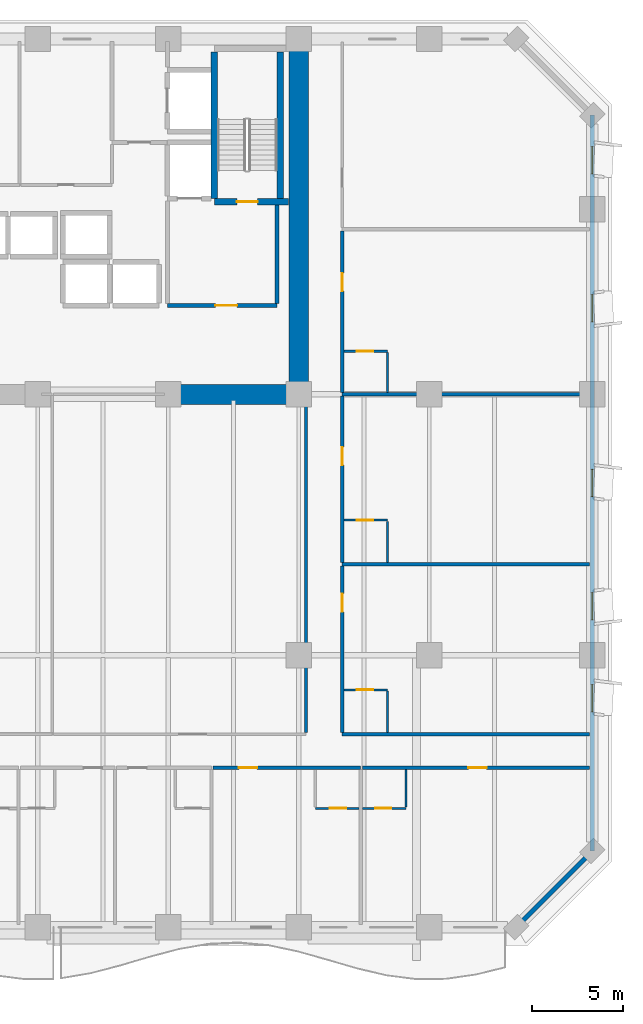
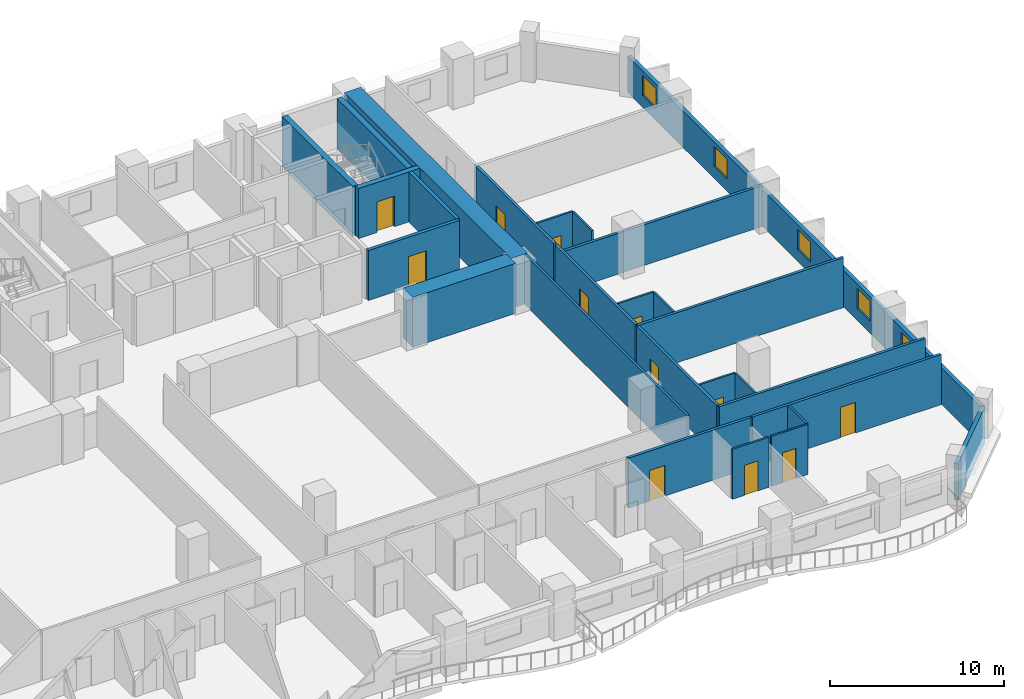
# One storey, part 11 of 16: 27 walls, 12 doors, 5 windows, 17 openings.
"""IFC4 building model written with IfcOpenShell, lengths in metres."""

from ifc_helpers import new_model, si_unit, direction, frame, frame_2d, origin, place, context, subcontext, project, spatial, rectangle, extrude, material, layer, layer_set, type_object, element, fill, save


model = new_model("IFC4")

# Units and contexts
model_context = context("Model", 3, precision=1e-05, world=origin(), true_north=direction((0.0, 1.0)))
body_context = subcontext(model_context, "Body", "Model", "MODEL_VIEW")
ifc_project = project(units=[si_unit("LENGTHUNIT", "METRE"), si_unit("AREAUNIT", "SQUARE_METRE"), si_unit("VOLUMEUNIT", "CUBIC_METRE"), si_unit("PLANEANGLEUNIT", "RADIAN"), si_unit("MASSUNIT", "GRAM", prefix="KILO")], contexts=[model_context])

# Site, building, storey
site_placement = place(None, origin())
site = spatial("IfcSite", under=ifc_project, at=site_placement, CompositionType="ELEMENT")
building_placement = place(site_placement, origin())
building = spatial("IfcBuilding", under=site, at=building_placement, Name="Kaelvorn Grand Hotel", CompositionType="ELEMENT")
storey_placement = place(building_placement, frame((0.0, 0.0, 35.14990234375)))
storey = spatial("IfcBuildingStorey", under=building, at=storey_placement, Name="L06", CompositionType="ELEMENT", Elevation=35.14990234375)

# Walls
ifc_material_1 = material(Name="Concrete C80/95", Category="concrete")
ifc_layer_1 = layer(ifc_material_1, 1.10009765625)
ifc_layer_set_1 = layer_set([ifc_layer_1], Name="Concrete C80/95")
wall_type_1 = type_object("IfcWallType", Name="WL-CORE-1100-C80", PredefinedType="SHEAR", material=ifc_layer_set_1)
wall_1_placement = place(storey_placement, frame((67.800048828125, 29.39990234375, 0.0), z_axis=(0.0, 0.0, 1.0), x_axis=(0.0, 1.0, 0.0)))
element("IfcWall", 1, at=wall_1_placement, inside=storey, type_object=wall_type_1, Name="L06 Rear-Core East Shear Wall", PredefinedType="SHEAR", context=body_context, shape_type="SweptSolid", body=[
    extrude(rectangle(XDim=19.2001953125, YDim=1.10009765625, at=frame_2d((9.60009765625, 0.0))), origin(), (0.0, 0.0, 1.0), 3.510009765625),
])
wall_2_placement = place(storey_placement, frame((60.39990234375, 29.39990234375, 0.0), z_axis=(0.0, 0.0, 1.0), x_axis=(1.0, 0.0, 0.0)))
element("IfcWall", 2, at=wall_2_placement, inside=storey, type_object=wall_type_1, Name="L06 Rear-Core Coupled Shear Pier S4", PredefinedType="SHEAR", context=body_context, shape_type="SweptSolid", body=[
    extrude(rectangle(XDim=6.84521484375, YDim=1.10009765625, at=frame_2d((3.422607421875, 0.0))), origin(), (0.0, 0.0, 1.0), 3.510009765625),
])
ifc_material_2 = material(Name="Concrete C40/50", Category="concrete")
ifc_layer_2 = layer(ifc_material_2, 0.260009765625)
ifc_layer_set_2 = layer_set([ifc_layer_2], Name="Concrete C40/50")
wall_type_2 = type_object("IfcWallType", Name="WL-EXT-260-C40", PredefinedType="SOLIDWALL", material=ifc_layer_set_2)
wall_3_placement = place(storey_placement, frame((79.800048828125, 0.0, 0.0), z_axis=(0.0, 0.0, 1.0), x_axis=(0.707106781187, 0.707106781187, 0.0)))
element("IfcWall", 3, at=wall_3_placement, inside=storey, type_object=wall_type_2, Name="L06 Exterior Architectural Concrete Wall 02", PredefinedType="SOLIDWALL", context=body_context, shape_type="SweptSolid", body=[
    extrude(rectangle(XDim=5.939697265625, YDim=0.260009765625, at=frame_2d((2.9697265625, 0.0))), origin(), (0.0, 0.0, 1.0), 2.56005859375),
])

# Wall, openings, windows
wall_4_placement = place(storey_placement, frame((84.0, 4.199951171875, 0.0), z_axis=(0.0, 0.0, 1.0), x_axis=(0.0, 1.0, 0.0)))
wall_4 = element("IfcWall", 4, at=wall_4_placement, inside=storey, type_object=wall_type_2, Name="L06 Exterior Architectural Concrete Wall 03", PredefinedType="SOLIDWALL", context=body_context, shape_type="SweptSolid", body=[
    extrude(rectangle(XDim=40.60009765625, YDim=0.260009765625, at=frame_2d((20.300048828125, 0.0))), origin(), (0.0, 0.0, 1.0), 2.56005859375),
])
opening_1_placement = place(wall_4_placement, frame((7.675048828125, 0.0, 0.85009765625)))
opening_1 = element("IfcOpeningElement", 5, at=opening_1_placement, cuts=wall_4, Name="Opening W10", PredefinedType="OPENING", context=body_context, shape_type="SweptSolid", body=[
    extrude(rectangle(XDim=1.5, YDim=1.39990234375, at=frame_2d((0.75, 0.699951171875))), frame((0.0, 0.14013671875, 0.0), z_axis=(0.0, -1.0, 0.0), x_axis=(1.0, 0.0, 0.0)), (0.0, 0.0, 1.0), 0.280029296875),
])
opening_2_placement = place(wall_4_placement, frame((12.760009765625, 0.0, 0.85009765625)))
opening_2 = element("IfcOpeningElement", 6, at=opening_2_placement, cuts=wall_4, Name="Opening W10", PredefinedType="OPENING", context=body_context, shape_type="SweptSolid", body=[
    extrude(rectangle(XDim=1.5, YDim=1.39990234375, at=frame_2d((0.75, 0.699951171875))), frame((0.0, 0.14013671875, 0.0), z_axis=(0.0, -1.0, 0.0), x_axis=(1.0, 0.0, 0.0)), (0.0, 0.0, 1.0), 0.280029296875),
])
opening_3_placement = place(wall_4_placement, frame((19.56005859375, 0.0, 0.85009765625)))
opening_3 = element("IfcOpeningElement", 7, at=opening_3_placement, cuts=wall_4, Name="Opening W10", PredefinedType="OPENING", context=body_context, shape_type="SweptSolid", body=[
    extrude(rectangle(XDim=1.5, YDim=1.39990234375, at=frame_2d((0.75, 0.699951171875))), frame((0.0, 0.14013671875, 0.0), z_axis=(0.0, -1.0, 0.0), x_axis=(1.0, 0.0, 0.0)), (0.0, 0.0, 1.0), 0.280029296875),
])
opening_4_placement = place(wall_4_placement, frame((29.199951171875, 0.0, 0.85009765625)))
opening_4 = element("IfcOpeningElement", 8, at=opening_4_placement, cuts=wall_4, Name="Opening W10", PredefinedType="OPENING", context=body_context, shape_type="SweptSolid", body=[
    extrude(rectangle(XDim=1.5, YDim=1.39990234375, at=frame_2d((0.75, 0.699951171875))), frame((0.0, 0.14013671875, 0.0), z_axis=(0.0, -1.0, 0.0), x_axis=(1.0, 0.0, 0.0)), (0.0, 0.0, 1.0), 0.280029296875),
])
opening_5_placement = place(wall_4_placement, frame((37.364990234375, 0.0, 0.85009765625)))
opening_5 = element("IfcOpeningElement", 9, at=opening_5_placement, cuts=wall_4, Name="Opening W10", PredefinedType="OPENING", context=body_context, shape_type="SweptSolid", body=[
    extrude(rectangle(XDim=1.5, YDim=1.39990234375, at=frame_2d((0.75, 0.699951171875))), frame((0.0, 0.14013671875, 0.0), z_axis=(0.0, -1.0, 0.0), x_axis=(1.0, 0.0, 0.0)), (0.0, 0.0, 1.0), 0.280029296875),
])
ifc_material_3 = material(Name="Laminated Low-E Glass", Category="glass")
window_type = type_object("IfcWindowType", Name="WIN-COR-1500x1400", PartitioningType="SINGLE_PANEL", PredefinedType="WINDOW", material=ifc_material_3)
window_1_placement = place(opening_1_placement, origin())
window_1 = element("IfcWindow", 10, at=window_1_placement, inside=storey, type_object=window_type, Name="L06 E Wing Tilted-Frame Ribbon Window E01", OverallHeight=1.39990234375, OverallWidth=1.5, PartitioningType="SINGLE_PANEL", PredefinedType="WINDOW", context=body_context, shape_type="SweptSolid", body=[
    extrude(rectangle(XDim=1.5, YDim=1.39990234375, at=frame_2d((0.75, 0.699951171875))), frame((0.0, 0.030029296875, 0.0), z_axis=(0.0, -1.0, 0.0), x_axis=(1.0, 0.0, 0.0)), (0.0, 0.0, 1.0), 0.06005859375),
])
fill(opening_1, window_1)
window_2_placement = place(opening_2_placement, origin())
window_2 = element("IfcWindow", 11, at=window_2_placement, inside=storey, type_object=window_type, Name="L06 E Wing Tilted-Frame Ribbon Window E02", OverallHeight=1.39990234375, OverallWidth=1.5, PartitioningType="SINGLE_PANEL", PredefinedType="WINDOW", context=body_context, shape_type="SweptSolid", body=[
    extrude(rectangle(XDim=1.5, YDim=1.39990234375, at=frame_2d((0.75, 0.699951171875))), frame((0.0, 0.030029296875, 0.0), z_axis=(0.0, -1.0, 0.0), x_axis=(1.0, 0.0, 0.0)), (0.0, 0.0, 1.0), 0.06005859375),
])
fill(opening_2, window_2)
window_3_placement = place(opening_3_placement, origin())
window_3 = element("IfcWindow", 12, at=window_3_placement, inside=storey, type_object=window_type, Name="L06 E Wing Tilted-Frame Ribbon Window E03", OverallHeight=1.39990234375, OverallWidth=1.5, PartitioningType="SINGLE_PANEL", PredefinedType="WINDOW", context=body_context, shape_type="SweptSolid", body=[
    extrude(rectangle(XDim=1.5, YDim=1.39990234375, at=frame_2d((0.75, 0.699951171875))), frame((0.0, 0.030029296875, 0.0), z_axis=(0.0, -1.0, 0.0), x_axis=(1.0, 0.0, 0.0)), (0.0, 0.0, 1.0), 0.06005859375),
])
fill(opening_3, window_3)
window_4_placement = place(opening_4_placement, origin())
window_4 = element("IfcWindow", 13, at=window_4_placement, inside=storey, type_object=window_type, Name="L06 E Wing Tilted-Frame Ribbon Window E04", OverallHeight=1.39990234375, OverallWidth=1.5, PartitioningType="SINGLE_PANEL", PredefinedType="WINDOW", context=body_context, shape_type="SweptSolid", body=[
    extrude(rectangle(XDim=1.5, YDim=1.39990234375, at=frame_2d((0.75, 0.699951171875))), frame((0.0, 0.030029296875, 0.0), z_axis=(0.0, -1.0, 0.0), x_axis=(1.0, 0.0, 0.0)), (0.0, 0.0, 1.0), 0.06005859375),
])
fill(opening_4, window_4)
window_5_placement = place(opening_5_placement, origin())
window_5 = element("IfcWindow", 14, at=window_5_placement, inside=storey, type_object=window_type, Name="L06 E Wing Tilted-Frame Ribbon Window E05", OverallHeight=1.39990234375, OverallWidth=1.5, PartitioningType="SINGLE_PANEL", PredefinedType="WINDOW", context=body_context, shape_type="SweptSolid", body=[
    extrude(rectangle(XDim=1.5, YDim=1.39990234375, at=frame_2d((0.75, 0.699951171875))), frame((0.0, 0.030029296875, 0.0), z_axis=(0.0, -1.0, 0.0), x_axis=(1.0, 0.0, 0.0)), (0.0, 0.0, 1.0), 0.06005859375),
])
fill(opening_5, window_5)

# Wall, opening, door
ifc_material_4 = material(Name="Moisture-Resistant Tile & Stud Board")
ifc_layer_3 = layer(ifc_material_4, 0.125)
ifc_layer_set_3 = layer_set([ifc_layer_3], Name="Moisture-Resistant Tile & Stud Board")
wall_type_3 = type_object("IfcWallType", Name="WL-PART-125-WET", PredefinedType="PARTITIONING", material=ifc_layer_set_3)
wall_5_placement = place(storey_placement, frame((68.716796875, 6.550048828125, 0.0), z_axis=(0.0, 0.0, 1.0), x_axis=(1.0, 0.0, 0.0)))
wall_5 = element("IfcWall", 15, at=wall_5_placement, inside=storey, type_object=wall_type_3, Name="L06 En-suite Bathroom L06-12 S Partition", PredefinedType="PARTITIONING", context=body_context, shape_type="SweptSolid", body=[
    extrude(rectangle(XDim=2.40478515625, YDim=0.125, at=frame_2d((1.202392578125, 0.0))), origin(), (0.0, 0.0, 1.0), 3.510009765625),
])
opening_6_placement = place(wall_5_placement, frame((0.800048828125, 0.0, 0.0)))
opening_6 = element("IfcOpeningElement", 16, at=opening_6_placement, cuts=wall_5, Name="Opening DI4", PredefinedType="OPENING", context=body_context, shape_type="SweptSolid", body=[
    extrude(rectangle(XDim=0.89990234375, YDim=2.10009765625, at=frame_2d((0.449951171875, 1.050048828125))), frame((0.0, 0.072509765625, 0.0), z_axis=(0.0, -1.0, 0.0), x_axis=(1.0, 0.0, 0.0)), (0.0, 0.0, 1.0), 0.14501953125),
])
ifc_material_5 = material(Name="Timber Veneer Leaf", Category="wood")
door_type_1 = type_object("IfcDoorType", Name="DR-INT-BATH-900x2100", OperationType="NOTDEFINED", PredefinedType="DOOR", material=ifc_material_5)
door_1_placement = place(opening_6_placement, origin())
door_1 = element("IfcDoor", 17, at=door_1_placement, inside=storey, type_object=door_type_1, Name="L06 En-suite Bathroom L06-12 Door", OperationType="SINGLE_SWING_LEFT", OverallHeight=2.10009765625, OverallWidth=0.89990234375, PredefinedType="DOOR", context=body_context, shape_type="SweptSolid", body=[
    extrude(rectangle(XDim=0.89990234375, YDim=2.10009765625, at=frame_2d((0.449951171875, 1.050048828125))), frame((0.0, 0.02490234375, 0.0), z_axis=(0.0, -1.0, 0.0), x_axis=(1.0, 0.0, 0.0)), (0.0, 0.0, 1.0), 0.050048828125),
])
fill(opening_6, door_1)

wall_6_placement = place(storey_placement, frame((71.311767578125, 6.550048828125, 0.0), z_axis=(0.0, 0.0, 1.0), x_axis=(1.0, 0.0, 0.0)))
wall_6 = element("IfcWall", 18, at=wall_6_placement, inside=storey, type_object=wall_type_3, Name="L06 En-suite Bathroom L06-13 S Partition", PredefinedType="PARTITIONING", context=body_context, shape_type="SweptSolid", body=[
    extrude(rectangle(XDim=2.405029296875, YDim=0.125, at=frame_2d((1.20263671875, 0.0))), origin(), (0.0, 0.0, 1.0), 3.510009765625),
])
opening_7_placement = place(wall_6_placement, frame((0.705078125, 0.0, 0.0)))
opening_7 = element("IfcOpeningElement", 19, at=opening_7_placement, cuts=wall_6, Name="Opening DI4", PredefinedType="OPENING", context=body_context, shape_type="SweptSolid", body=[
    extrude(rectangle(XDim=0.89990234375, YDim=2.10009765625, at=frame_2d((0.449951171875, 1.050048828125))), frame((0.0, 0.072509765625, 0.0), z_axis=(0.0, -1.0, 0.0), x_axis=(1.0, 0.0, 0.0)), (0.0, 0.0, 1.0), 0.14501953125),
])
door_2_placement = place(opening_7_placement, origin())
door_2 = element("IfcDoor", 20, at=door_2_placement, inside=storey, type_object=door_type_1, Name="L06 En-suite Bathroom L06-13 Door", OperationType="SINGLE_SWING_LEFT", OverallHeight=2.10009765625, OverallWidth=0.89990234375, PredefinedType="DOOR", context=body_context, shape_type="SweptSolid", body=[
    extrude(rectangle(XDim=0.89990234375, YDim=2.10009765625, at=frame_2d((0.449951171875, 1.050048828125))), frame((0.0, 0.02490234375, 0.0), z_axis=(0.0, -1.0, 0.0), x_axis=(1.0, 0.0, 0.0)), (0.0, 0.0, 1.0), 0.050048828125),
])
fill(opening_7, door_2)

# Wall
wall_7_placement = place(storey_placement, frame((73.716796875, 6.617431640625, 0.0), z_axis=(0.0, 0.0, 1.0), x_axis=(0.0, 1.0, 0.0)))
element("IfcWall", 21, at=wall_7_placement, inside=storey, type_object=wall_type_3, Name="L06 En-suite Bathroom L06-13 E Partition", PredefinedType="PARTITIONING", context=body_context, shape_type="SweptSolid", body=[
    extrude(rectangle(XDim=2.087646484375, YDim=0.125, at=frame_2d((1.0439453125, 0.0))), origin(), (0.0, 0.0, 1.0), 3.510009765625),
])

# Wall, opening, door
wall_8_placement = place(storey_placement, frame((70.294921875, 13.090087890625, 0.0), z_axis=(0.0, 0.0, 1.0), x_axis=(1.0, 0.0, 0.0)))
wall_8 = element("IfcWall", 22, at=wall_8_placement, inside=storey, type_object=wall_type_3, Name="L06 En-suite Bathroom L06-16 N Partition", PredefinedType="PARTITIONING", context=body_context, shape_type="SweptSolid", body=[
    extrude(rectangle(XDim=2.405029296875, YDim=0.125, at=frame_2d((1.20263671875, 0.0))), origin(), (0.0, 0.0, 1.0), 3.510009765625),
])
opening_8_placement = place(wall_8_placement, frame((0.705078125, 0.0, 0.0)))
opening_8 = element("IfcOpeningElement", 23, at=opening_8_placement, cuts=wall_8, Name="Opening DI4", PredefinedType="OPENING", context=body_context, shape_type="SweptSolid", body=[
    extrude(rectangle(XDim=0.89990234375, YDim=2.10009765625, at=frame_2d((0.449951171875, 1.050048828125))), frame((0.0, 0.072509765625, 0.0), z_axis=(0.0, -1.0, 0.0), x_axis=(1.0, 0.0, 0.0)), (0.0, 0.0, 1.0), 0.14501953125),
])
door_3_placement = place(opening_8_placement, origin())
door_3 = element("IfcDoor", 24, at=door_3_placement, inside=storey, type_object=door_type_1, Name="L06 En-suite Bathroom L06-16 Door", OperationType="SINGLE_SWING_RIGHT", OverallHeight=2.10009765625, OverallWidth=0.89990234375, PredefinedType="DOOR", context=body_context, shape_type="SweptSolid", body=[
    extrude(rectangle(XDim=0.89990234375, YDim=2.10009765625, at=frame_2d((0.449951171875, 1.050048828125))), frame((0.0, 0.02490234375, 0.0), z_axis=(0.0, -1.0, 0.0), x_axis=(1.0, 0.0, 0.0)), (0.0, 0.0, 1.0), 0.050048828125),
])
fill(opening_8, door_3)

# Wall
wall_9_placement = place(storey_placement, frame((72.699951171875, 10.7451171875, 0.0), z_axis=(0.0, 0.0, 1.0), x_axis=(0.0, 1.0, 0.0)))
element("IfcWall", 25, at=wall_9_placement, inside=storey, type_object=wall_type_3, Name="L06 En-suite Bathroom L06-16 E Partition", PredefinedType="PARTITIONING", context=body_context, shape_type="SweptSolid", body=[
    extrude(rectangle(XDim=2.27734375, YDim=0.125, at=frame_2d((1.138671875, 0.0))), origin(), (0.0, 0.0, 1.0), 3.510009765625),
])

# Wall, opening, door
wall_10_placement = place(storey_placement, frame((70.294921875, 22.4599609375, 0.0), z_axis=(0.0, 0.0, 1.0), x_axis=(1.0, 0.0, 0.0)))
wall_10 = element("IfcWall", 26, at=wall_10_placement, inside=storey, type_object=wall_type_3, Name="L06 En-suite Bathroom L06-17 N Partition", PredefinedType="PARTITIONING", context=body_context, shape_type="SweptSolid", body=[
    extrude(rectangle(XDim=2.405029296875, YDim=0.125, at=frame_2d((1.20263671875, 0.0))), origin(), (0.0, 0.0, 1.0), 3.510009765625),
])
opening_9_placement = place(wall_10_placement, frame((0.705078125, 0.0, 0.0)))
opening_9 = element("IfcOpeningElement", 27, at=opening_9_placement, cuts=wall_10, Name="Opening DI4", PredefinedType="OPENING", context=body_context, shape_type="SweptSolid", body=[
    extrude(rectangle(XDim=0.89990234375, YDim=2.10009765625, at=frame_2d((0.449951171875, 1.050048828125))), frame((0.0, 0.072509765625, 0.0), z_axis=(0.0, -1.0, 0.0), x_axis=(1.0, 0.0, 0.0)), (0.0, 0.0, 1.0), 0.14501953125),
])
door_4_placement = place(opening_9_placement, origin())
door_4 = element("IfcDoor", 28, at=door_4_placement, inside=storey, type_object=door_type_1, Name="L06 En-suite Bathroom L06-17 Door", OperationType="SINGLE_SWING_RIGHT", OverallHeight=2.10009765625, OverallWidth=0.89990234375, PredefinedType="DOOR", context=body_context, shape_type="SweptSolid", body=[
    extrude(rectangle(XDim=0.89990234375, YDim=2.10009765625, at=frame_2d((0.449951171875, 1.050048828125))), frame((0.0, 0.02490234375, 0.0), z_axis=(0.0, -1.0, 0.0), x_axis=(1.0, 0.0, 0.0)), (0.0, 0.0, 1.0), 0.050048828125),
])
fill(opening_9, door_4)

# Wall
wall_11_placement = place(storey_placement, frame((72.699951171875, 20.114990234375, 0.0), z_axis=(0.0, 0.0, 1.0), x_axis=(0.0, 1.0, 0.0)))
element("IfcWall", 29, at=wall_11_placement, inside=storey, type_object=wall_type_3, Name="L06 En-suite Bathroom L06-17 E Partition", PredefinedType="PARTITIONING", context=body_context, shape_type="SweptSolid", body=[
    extrude(rectangle(XDim=2.277587890625, YDim=0.125, at=frame_2d((1.138671875, 0.0))), origin(), (0.0, 0.0, 1.0), 3.510009765625),
])

# Wall, opening, door
wall_12_placement = place(storey_placement, frame((70.294921875, 31.77001953125, 0.0), z_axis=(0.0, 0.0, 1.0), x_axis=(1.0, 0.0, 0.0)))
wall_12 = element("IfcWall", 30, at=wall_12_placement, inside=storey, type_object=wall_type_3, Name="L06 En-suite Bathroom L06-19 N Partition", PredefinedType="PARTITIONING", context=body_context, shape_type="SweptSolid", body=[
    extrude(rectangle(XDim=2.405029296875, YDim=0.125, at=frame_2d((1.20263671875, 0.0))), origin(), (0.0, 0.0, 1.0), 3.510009765625),
])
opening_10_placement = place(wall_12_placement, frame((0.705078125, 0.0, 0.0)))
opening_10 = element("IfcOpeningElement", 31, at=opening_10_placement, cuts=wall_12, Name="Opening DI4", PredefinedType="OPENING", context=body_context, shape_type="SweptSolid", body=[
    extrude(rectangle(XDim=0.89990234375, YDim=2.10009765625, at=frame_2d((0.449951171875, 1.050048828125))), frame((0.0, 0.072509765625, 0.0), z_axis=(0.0, -1.0, 0.0), x_axis=(1.0, 0.0, 0.0)), (0.0, 0.0, 1.0), 0.14501953125),
])
door_5_placement = place(opening_10_placement, origin())
door_5 = element("IfcDoor", 32, at=door_5_placement, inside=storey, type_object=door_type_1, Name="L06 En-suite Bathroom L06-19 Door", OperationType="SINGLE_SWING_LEFT", OverallHeight=2.10009765625, OverallWidth=0.89990234375, PredefinedType="DOOR", context=body_context, shape_type="SweptSolid", body=[
    extrude(rectangle(XDim=0.89990234375, YDim=2.10009765625, at=frame_2d((0.449951171875, 1.050048828125))), frame((0.0, 0.02490234375, 0.0), z_axis=(0.0, -1.0, 0.0), x_axis=(1.0, 0.0, 0.0)), (0.0, 0.0, 1.0), 0.050048828125),
])
fill(opening_10, door_5)

# Walls
wall_13_placement = place(storey_placement, frame((72.699951171875, 29.4951171875, 0.0), z_axis=(0.0, 0.0, 1.0), x_axis=(0.0, 1.0, 0.0)))
element("IfcWall", 33, at=wall_13_placement, inside=storey, type_object=wall_type_3, Name="L06 En-suite Bathroom L06-19 E Partition", PredefinedType="PARTITIONING", context=body_context, shape_type="SweptSolid", body=[
    extrude(rectangle(XDim=2.207275390625, YDim=0.125, at=frame_2d((1.103515625, 0.0))), origin(), (0.0, 0.0, 1.0), 3.510009765625),
])
ifc_material_6 = material(Name="Acoustic Gypsum & Stud Partition")
ifc_layer_4 = layer(ifc_material_6, 0.14990234375)
ifc_layer_set_4 = layer_set([ifc_layer_4], Name="Acoustic Gypsum & Stud Partition")
wall_type_4 = type_object("IfcWallType", Name="WL-PART-150-EI60", PredefinedType="PARTITIONING", material=ifc_layer_set_4)
wall_14_placement = place(storey_placement, frame((68.199951171875, 10.72998046875, 0.0), z_axis=(0.0, 0.0, 1.0), x_axis=(0.0, 1.0, 0.0)))
element("IfcWall", 34, at=wall_14_placement, inside=storey, type_object=wall_type_4, Name="L06 Business Secretariat Office E Partition", PredefinedType="PARTITIONING", context=body_context, shape_type="SweptSolid", body=[
    extrude(rectangle(XDim=18.659912109375, YDim=0.14990234375, at=frame_2d((9.330078125, 0.0))), origin(), (0.0, 0.0, 1.0), 3.510009765625),
])

# Wall, opening, door
ifc_layer_5 = layer(ifc_material_6, 0.179931640625)
ifc_layer_set_5 = layer_set([ifc_layer_5], Name="Acoustic Gypsum & Stud Partition")
wall_type_5 = type_object("IfcWallType", Name="WL-PART-180-EI60", PredefinedType="PARTITIONING", material=ifc_layer_set_5)
wall_15_placement = place(storey_placement, frame((63.078857421875, 8.800048828125, 0.0), z_axis=(0.0, 0.0, 1.0), x_axis=(1.0, 0.0, 0.0)))
wall_15 = element("IfcWall", 35, at=wall_15_placement, inside=storey, type_object=wall_type_5, Name="L06 Deluxe King Guest Room L06-12 N Partition", PredefinedType="PARTITIONING", context=body_context, shape_type="SweptSolid", body=[
    extrude(rectangle(XDim=8.137939453125, YDim=0.179931640625, at=frame_2d((4.06884765625, 0.0))), origin(), (0.0, 0.0, 1.0), 3.510009765625),
])
opening_11_placement = place(wall_15_placement, frame((1.423095703125, 0.0, 0.0)))
opening_11 = element("IfcOpeningElement", 36, at=opening_11_placement, cuts=wall_15, Name="Opening DI3", PredefinedType="OPENING", context=body_context, shape_type="SweptSolid", body=[
    extrude(rectangle(XDim=1.0, YDim=2.14990234375, at=frame_2d((0.5, 1.074951171875))), frame((0.0, 0.10009765625, 0.0), z_axis=(0.0, -1.0, 0.0), x_axis=(1.0, 0.0, 0.0)), (0.0, 0.0, 1.0), 0.199951171875),
])
ifc_material_7 = material(Name="Timber Veneer Fire Leaf", Category="wood")
door_type_2 = type_object("IfcDoorType", Name="DR-INT-GUEST-1000x2150", OperationType="NOTDEFINED", PredefinedType="DOOR", material=ifc_material_7)
door_6_placement = place(opening_11_placement, origin())
door_6 = element("IfcDoor", 37, at=door_6_placement, inside=storey, type_object=door_type_2, Name="L06 Deluxe King Guest Room L06-12 Door", OperationType="SINGLE_SWING_RIGHT", OverallHeight=2.14990234375, OverallWidth=1.0, PredefinedType="DOOR", context=body_context, shape_type="SweptSolid", body=[
    extrude(rectangle(XDim=1.0, YDim=2.14990234375, at=frame_2d((0.5, 1.074951171875))), frame((0.0, 0.02490234375, 0.0), z_axis=(0.0, -1.0, 0.0), x_axis=(1.0, 0.0, 0.0)), (0.0, 0.0, 1.0), 0.050048828125),
])
fill(opening_11, door_6)

wall_16_placement = place(storey_placement, frame((71.311767578125, 8.800048828125, 0.0), z_axis=(0.0, 0.0, 1.0), x_axis=(1.0, 0.0, 0.0)))
wall_16 = element("IfcWall", 38, at=wall_16_placement, inside=storey, type_object=wall_type_5, Name="L06 Deluxe Panoramic Suite L06-13 N Partition", PredefinedType="PARTITIONING", context=body_context, shape_type="SweptSolid", body=[
    extrude(rectangle(XDim=12.538330078125, YDim=0.179931640625, at=frame_2d((6.26904296875, 0.0))), origin(), (0.0, 0.0, 1.0), 3.510009765625),
])
opening_12_placement = place(wall_16_placement, frame((5.853271484375, 0.0, 0.0)))
opening_12 = element("IfcOpeningElement", 39, at=opening_12_placement, cuts=wall_16, Name="Opening DI3", PredefinedType="OPENING", context=body_context, shape_type="SweptSolid", body=[
    extrude(rectangle(XDim=1.0, YDim=2.14990234375, at=frame_2d((0.5, 1.074951171875))), frame((0.0, 0.10009765625, 0.0), z_axis=(0.0, -1.0, 0.0), x_axis=(1.0, 0.0, 0.0)), (0.0, 0.0, 1.0), 0.199951171875),
])
door_7_placement = place(opening_12_placement, origin())
door_7 = element("IfcDoor", 40, at=door_7_placement, inside=storey, type_object=door_type_2, Name="L06 Deluxe Panoramic Suite L06-13 Door", OperationType="SINGLE_SWING_RIGHT", OverallHeight=2.14990234375, OverallWidth=1.0, PredefinedType="DOOR", context=body_context, shape_type="SweptSolid", body=[
    extrude(rectangle(XDim=1.0, YDim=2.14990234375, at=frame_2d((0.5, 1.074951171875))), frame((0.0, 0.02490234375, 0.0), z_axis=(0.0, -1.0, 0.0), x_axis=(1.0, 0.0, 0.0)), (0.0, 0.0, 1.0), 0.050048828125),
])
fill(opening_12, door_7)

# Walls
for number, where, z_axis, x_axis, name in (
    (41, (70.199951171875, 10.64990234375, 0.0), (0.0, 0.0, 1.0), (1.0, 0.0, 0.0), "L06 East Wing Panoramic Suite L06-16 S Partition"),
    (42, (70.199951171875, 20.02001953125, 0.0), (0.0, 0.0, 1.0), (1.0, 0.0, 0.0), "L06 East Wing Panoramic Suite L06-16 N Partition"),
):
    element("IfcWall", number, at=place(storey_placement, frame(where, z_axis=z_axis, x_axis=x_axis)), inside=storey, type_object=wall_type_5, Name=name, PredefinedType="PARTITIONING", context=body_context, shape_type="SweptSolid", body=[
        extrude(rectangle(XDim=13.650146484375, YDim=0.179931640625, at=frame_2d((6.8251953125, 0.0))), origin(), (0.0, 0.0, 1.0), 3.510009765625),
    ])

# Wall, opening, door
wall_17_placement = place(storey_placement, frame((70.199951171875, 10.7451171875, 0.0), z_axis=(0.0, 0.0, 1.0), x_axis=(0.0, 1.0, 0.0)))
wall_17 = element("IfcWall", 43, at=wall_17_placement, inside=storey, type_object=wall_type_5, Name="L06 East Wing Panoramic Suite L06-16 W Partition", PredefinedType="PARTITIONING", context=body_context, shape_type="SweptSolid", body=[
    extrude(rectangle(XDim=9.179931640625, YDim=0.179931640625, at=frame_2d((4.58984375, 0.0))), origin(), (0.0, 0.0, 1.0), 3.510009765625),
])
opening_13_placement = place(wall_17_placement, frame((6.655029296875, 0.0, 0.0)))
opening_13 = element("IfcOpeningElement", 44, at=opening_13_placement, cuts=wall_17, Name="Opening DI3", PredefinedType="OPENING", context=body_context, shape_type="SweptSolid", body=[
    extrude(rectangle(XDim=1.0, YDim=2.14990234375, at=frame_2d((0.5, 1.074951171875))), frame((0.0, 0.10009765625, 0.0), z_axis=(0.0, -1.0, 0.0), x_axis=(1.0, 0.0, 0.0)), (0.0, 0.0, 1.0), 0.199951171875),
])
door_8_placement = place(opening_13_placement, origin())
door_8 = element("IfcDoor", 45, at=door_8_placement, inside=storey, type_object=door_type_2, Name="L06 East Wing Panoramic Suite L06-16 Door", OperationType="SINGLE_SWING_LEFT", OverallHeight=2.14990234375, OverallWidth=1.0, PredefinedType="DOOR", context=body_context, shape_type="SweptSolid", body=[
    extrude(rectangle(XDim=1.0, YDim=2.14990234375, at=frame_2d((0.5, 1.074951171875))), frame((0.0, 0.02490234375, 0.0), z_axis=(0.0, -1.0, 0.0), x_axis=(1.0, 0.0, 0.0)), (0.0, 0.0, 1.0), 0.050048828125),
])
fill(opening_13, door_8)

# Wall
wall_18_placement = place(storey_placement, frame((70.199951171875, 29.39990234375, 0.0), z_axis=(0.0, 0.0, 1.0), x_axis=(1.0, 0.0, 0.0)))
element("IfcWall", 46, at=wall_18_placement, inside=storey, type_object=wall_type_5, Name="L06 East Mid-Wing Suite L06-17 N Partition", PredefinedType="PARTITIONING", context=body_context, shape_type="SweptSolid", body=[
    extrude(rectangle(XDim=13.650146484375, YDim=0.179931640625, at=frame_2d((6.8251953125, 0.0))), origin(), (0.0, 0.0, 1.0), 2.860107421875),
])

# Wall, opening, door
wall_19_placement = place(storey_placement, frame((70.199951171875, 20.114990234375, 0.0), z_axis=(0.0, 0.0, 1.0), x_axis=(0.0, 1.0, 0.0)))
wall_19 = element("IfcWall", 47, at=wall_19_placement, inside=storey, type_object=wall_type_5, Name="L06 East Mid-Wing Suite L06-17 W Partition", PredefinedType="PARTITIONING", context=body_context, shape_type="SweptSolid", body=[
    extrude(rectangle(XDim=9.18994140625, YDim=0.179931640625, at=frame_2d((4.594970703125, 0.0))), origin(), (0.0, 0.0, 1.0), 3.510009765625),
])
opening_14_placement = place(wall_19_placement, frame((5.375, 0.0, 0.0)))
opening_14 = element("IfcOpeningElement", 48, at=opening_14_placement, cuts=wall_19, Name="Opening DI3", PredefinedType="OPENING", context=body_context, shape_type="SweptSolid", body=[
    extrude(rectangle(XDim=1.0, YDim=2.14990234375, at=frame_2d((0.5, 1.074951171875))), frame((0.0, 0.10009765625, 0.0), z_axis=(0.0, -1.0, 0.0), x_axis=(1.0, 0.0, 0.0)), (0.0, 0.0, 1.0), 0.199951171875),
])
door_9_placement = place(opening_14_placement, origin())
door_9 = element("IfcDoor", 49, at=door_9_placement, inside=storey, type_object=door_type_2, Name="L06 East Mid-Wing Suite L06-17 Door", OperationType="SINGLE_SWING_LEFT", OverallHeight=2.14990234375, OverallWidth=1.0, PredefinedType="DOOR", context=body_context, shape_type="SweptSolid", body=[
    extrude(rectangle(XDim=1.0, YDim=2.14990234375, at=frame_2d((0.5, 1.074951171875))), frame((0.0, 0.02490234375, 0.0), z_axis=(0.0, -1.0, 0.0), x_axis=(1.0, 0.0, 0.0)), (0.0, 0.0, 1.0), 0.050048828125),
])
fill(opening_14, door_9)

wall_20_placement = place(storey_placement, frame((70.199951171875, 29.4951171875, 0.0), z_axis=(0.0, 0.0, 1.0), x_axis=(0.0, 1.0, 0.0)))
wall_20 = element("IfcWall", 50, at=wall_20_placement, inside=storey, type_object=wall_type_5, Name="L06 North-East Wing Suite L06-19 W Partition", PredefinedType="PARTITIONING", context=body_context, shape_type="SweptSolid", body=[
    extrude(rectangle(XDim=8.909912109375, YDim=0.179931640625, at=frame_2d((4.455078125, 0.0))), origin(), (0.0, 0.0, 1.0), 3.510009765625),
])
opening_15_placement = place(wall_20_placement, frame((5.590087890625, 0.0, 0.0)))
opening_15 = element("IfcOpeningElement", 51, at=opening_15_placement, cuts=wall_20, Name="Opening DI3", PredefinedType="OPENING", context=body_context, shape_type="SweptSolid", body=[
    extrude(rectangle(XDim=1.0, YDim=2.14990234375, at=frame_2d((0.5, 1.074951171875))), frame((0.0, 0.10009765625, 0.0), z_axis=(0.0, -1.0, 0.0), x_axis=(1.0, 0.0, 0.0)), (0.0, 0.0, 1.0), 0.199951171875),
])
door_10_placement = place(opening_15_placement, origin())
door_10 = element("IfcDoor", 52, at=door_10_placement, inside=storey, type_object=door_type_2, Name="L06 North-East Wing Suite L06-19 Door", OperationType="SINGLE_SWING_RIGHT", OverallHeight=2.14990234375, OverallWidth=1.0, PredefinedType="DOOR", context=body_context, shape_type="SweptSolid", body=[
    extrude(rectangle(XDim=1.0, YDim=2.14990234375, at=frame_2d((0.5, 1.074951171875))), frame((0.0, 0.02490234375, 0.0), z_axis=(0.0, -1.0, 0.0), x_axis=(1.0, 0.0, 0.0)), (0.0, 0.0, 1.0), 0.050048828125),
])
fill(opening_15, door_10)

ifc_layer_6 = layer(ifc_material_2, 0.219970703125)
ifc_layer_set_6 = layer_set([ifc_layer_6], Name="Concrete C40/50")
wall_type_6 = type_object("IfcWallType", Name="WL-PART-220-EI120", PredefinedType="PARTITIONING", material=ifc_layer_set_6)
wall_21_placement = place(storey_placement, frame((60.550048828125, 34.300048828125, 0.0), z_axis=(0.0, 0.0, 1.0), x_axis=(1.0, 0.0, 0.0)))
wall_21 = element("IfcWall", 53, at=wall_21_placement, inside=storey, type_object=wall_type_6, Name="L06 Firefighting Lift Lobby 2 S Partition", PredefinedType="PARTITIONING", context=body_context, shape_type="SweptSolid", body=[
    extrude(rectangle(XDim=6.050048828125, YDim=0.219970703125, at=frame_2d((3.02490234375, 0.0))), origin(), (0.0, 0.0, 1.0), 3.510009765625),
])
opening_16_placement = place(wall_21_placement, frame((2.64990234375, 0.0, 0.0)))
opening_16 = element("IfcOpeningElement", 54, at=opening_16_placement, cuts=wall_21, Name="Opening DI2", PredefinedType="OPENING", context=body_context, shape_type="SweptSolid", body=[
    extrude(rectangle(XDim=1.199951171875, YDim=2.14990234375, at=frame_2d((0.60009765625, 1.074951171875))), frame((0.0, 0.1201171875, 0.0), z_axis=(0.0, -1.0, 0.0), x_axis=(1.0, 0.0, 0.0)), (0.0, 0.0, 1.0), 0.239990234375),
])
door_type_3 = type_object("IfcDoorType", Name="DR-INT-FFLOB-1200x2150", OperationType="NOTDEFINED", PredefinedType="DOOR", material=ifc_material_7)
door_11_placement = place(opening_16_placement, origin())
door_11 = element("IfcDoor", 55, at=door_11_placement, inside=storey, type_object=door_type_3, Name="L06 Firefighting Lift Lobby 2 Door", OperationType="SINGLE_SWING_RIGHT", OverallHeight=2.14990234375, OverallWidth=1.199951171875, PredefinedType="DOOR", context=body_context, shape_type="SweptSolid", body=[
    extrude(rectangle(XDim=1.199951171875, YDim=2.14990234375, at=frame_2d((0.60009765625, 1.074951171875))), frame((0.0, 0.02490234375, 0.0), z_axis=(0.0, -1.0, 0.0), x_axis=(1.0, 0.0, 0.0)), (0.0, 0.0, 1.0), 0.050048828125),
])
fill(opening_16, door_11)

# Wall
wall_22_placement = place(storey_placement, frame((66.60009765625, 34.4150390625, 0.0), z_axis=(0.0, 0.0, 1.0), x_axis=(0.0, 1.0, 0.0)))
element("IfcWall", 56, at=wall_22_placement, inside=storey, type_object=wall_type_6, Name="L06 Firefighting Lift Lobby 2 E Partition", PredefinedType="PARTITIONING", context=body_context, shape_type="SweptSolid", body=[
    extrude(rectangle(XDim=5.429931640625, YDim=0.219970703125, at=frame_2d((2.71484375, 0.0))), origin(), (0.0, 0.0, 1.0), 3.510009765625),
])

# Wall, opening, door
ifc_material_8 = material(Name="Concrete C60/75", Category="concrete")
ifc_layer_7 = layer(ifc_material_8, 0.35009765625)
ifc_layer_set_7 = layer_set([ifc_layer_7], Name="Concrete C60/75")
wall_type_7 = type_object("IfcWallType", Name="WL-SHAFT-350-C60", PredefinedType="SHEAR", material=ifc_layer_set_7)
wall_23_placement = place(storey_placement, frame((63.14501953125, 40.02490234375, 0.0), z_axis=(0.0, 0.0, 1.0), x_axis=(1.0, 0.0, 0.0)))
wall_23 = element("IfcWall", 57, at=wall_23_placement, inside=storey, type_object=wall_type_7, Name="L06 ST3 Stair Shaft South Wall", PredefinedType="SHEAR", context=body_context, shape_type="SweptSolid", body=[
    extrude(rectangle(XDim=4.10009765625, YDim=0.35009765625, at=frame_2d((2.050048828125, 0.0))), origin(), (0.0, 0.0, 1.0), 3.510009765625),
])
opening_17_placement = place(wall_23_placement, frame((1.239990234375, 0.0, 0.0)))
opening_17 = element("IfcOpeningElement", 58, at=opening_17_placement, cuts=wall_23, Name="Opening DI1", PredefinedType="OPENING", context=body_context, shape_type="SweptSolid", body=[
    extrude(rectangle(XDim=1.14990234375, YDim=2.14990234375, at=frame_2d((0.574951171875, 1.074951171875))), frame((0.0, 0.18505859375, 0.0), z_axis=(0.0, -1.0, 0.0), x_axis=(1.0, 0.0, 0.0)), (0.0, 0.0, 1.0), 0.3701171875),
])
door_type_4 = type_object("IfcDoorType", Name="DR-INT-STAIR-1150x2150", OperationType="NOTDEFINED", PredefinedType="DOOR", material=ifc_material_7)
door_12_placement = place(opening_17_placement, origin())
door_12 = element("IfcDoor", 59, at=door_12_placement, inside=storey, type_object=door_type_4, Name="L06 ST3 Exit Stair Fire Door", OperationType="SINGLE_SWING_RIGHT", OverallHeight=2.14990234375, OverallWidth=1.14990234375, PredefinedType="DOOR", context=body_context, shape_type="SweptSolid", body=[
    extrude(rectangle(XDim=1.14990234375, YDim=2.14990234375, at=frame_2d((0.574951171875, 1.074951171875))), frame((0.0, 0.02490234375, 0.0), z_axis=(0.0, -1.0, 0.0), x_axis=(1.0, 0.0, 0.0)), (0.0, 0.0, 1.0), 0.050048828125),
])
fill(opening_17, door_12)

# Walls
for number, where, z_axis, x_axis, name in (
    (60, (63.14501953125, 40.205078125, 0.0), (0.0, 0.0, 1.0), (0.0, 1.0, 0.0), "L06 ST3 Stair Shaft West Wall"),
    (61, (66.77490234375, 40.205078125, 0.0), (0.0, 0.0, 1.0), (0.0, 1.0, 0.0), "L06 ST3 Stair Shaft East Wall"),
):
    element("IfcWall", number, at=place(storey_placement, frame(where, z_axis=z_axis, x_axis=x_axis)), inside=storey, type_object=wall_type_7, Name=name, PredefinedType="SHEAR", context=body_context, shape_type="SweptSolid", body=[
        extrude(rectangle(XDim=8.08984375, YDim=0.35009765625, at=frame_2d((4.044921875, 0.0))), origin(), (0.0, 0.0, 1.0), 3.510009765625),
    ])

save(model, "model.ifc")
